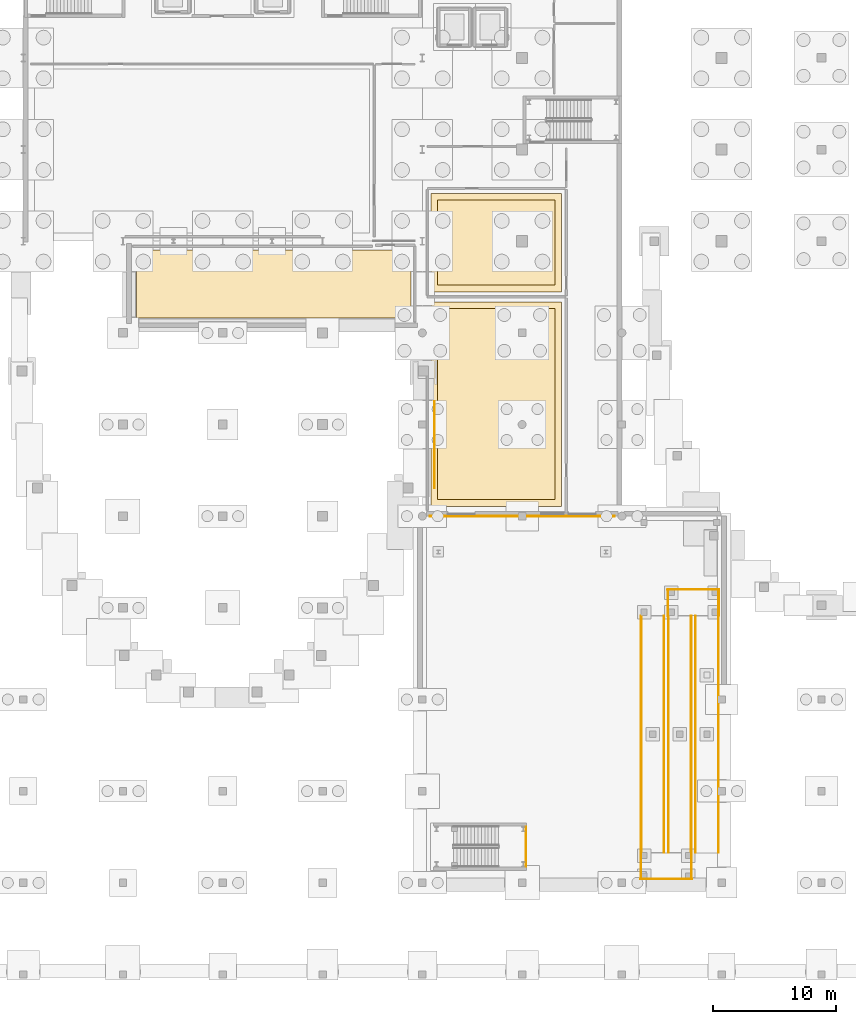
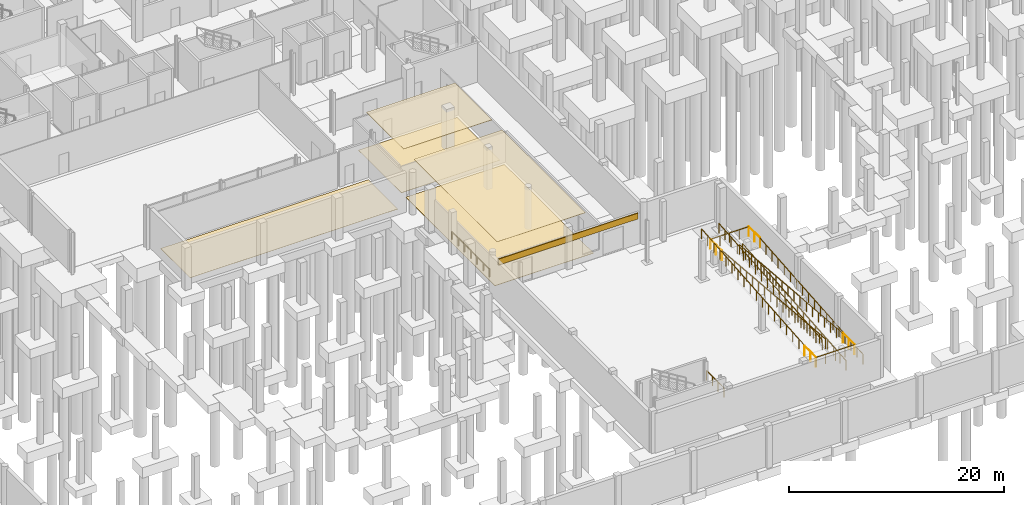
# One storey, part 33 of 37: 14 railings, 6 coverings.
"""IFC4 building model written with IfcOpenShell, lengths in metres."""

from ifc_helpers import new_model, si_unit, direction, frame, origin, origin_2d, place, context, subcontext, project, spatial, polyline, rectangle, circle, outline, extrude, material, layer, layer_set, type_object, element, save


model = new_model("IFC4")

# Units and contexts
model_context = context("Model", 3, precision=1e-05, world=origin(), true_north=direction((0.0, 1.0)))
body_context = subcontext(model_context, "Body", "Model", "MODEL_VIEW")
ifc_project = project(units=[si_unit("LENGTHUNIT", "METRE"), si_unit("AREAUNIT", "SQUARE_METRE"), si_unit("VOLUMEUNIT", "CUBIC_METRE"), si_unit("PLANEANGLEUNIT", "RADIAN"), si_unit("MASSUNIT", "GRAM", prefix="KILO")], contexts=[model_context])

# Site, building, storey
site_placement = place(None, origin())
site = spatial("IfcSite", under=ifc_project, at=site_placement, CompositionType="ELEMENT")
building_placement = place(site_placement, origin())
building = spatial("IfcBuilding", under=site, at=building_placement, Name="Kaelora Sail Theatre", CompositionType="ELEMENT")
storey_placement = place(building_placement, frame((0.0, 0.0, -4.800048828125)))
storey = spatial("IfcBuildingStorey", under=building, at=storey_placement, Name="B1", CompositionType="ELEMENT", Elevation=-4.800048828125)

# Coverings
ifc_material_1 = material(Name="Micro-perforated timber acoustic reflector", Category="wood")
ifc_layer_1 = layer(ifc_material_1, 0.050048828125)
ifc_layer_set_1 = layer_set([ifc_layer_1], Name="Micro-perforated timber acoustic reflector")
covering_type_1 = type_object("IfcCoveringType", Name="ARC-COV-CLG-AC-50", PredefinedType="CEILING", material=ifc_layer_set_1)
covering_1_placement = place(storey_placement, frame((0.0, 0.0, 4.429931640625)))
element("IfcCovering", 1, at=covering_1_placement, inside=storey, type_object=covering_type_1, Name="Acoustic ceiling B1-CLOAK", PredefinedType="CEILING", context=body_context, shape_type="SweptSolid", body=[
    extrude(outline(polyline([(59.449951171875, 57.449951171875), (68.949951171875, 57.449951171875), (68.949951171875, 64.35009765625), (59.449951171875, 64.35009765625), (59.449951171875, 57.449951171875)])), origin(), (0.0, 0.0, 1.0), 0.050048828125),
])
ifc_material_2 = material(Name="Suspended acoustic mineral-fibre ceiling", Category="gypsum")
ifc_layer_2 = layer(ifc_material_2, 0.034912109375)
ifc_layer_set_2 = layer_set([ifc_layer_2], Name="Suspended acoustic mineral-fibre ceiling")
covering_type_2 = type_object("IfcCoveringType", Name="ARC-COV-CLG-GYP-35", PredefinedType="CEILING", material=ifc_layer_set_2)
covering_2_placement = place(storey_placement, frame((0.0, 0.0, 4.445068359375)))
element("IfcCovering", 2, at=covering_2_placement, inside=storey, type_object=covering_type_2, Name="Acoustic ceiling B1-METRO", PredefinedType="CEILING", context=body_context, shape_type="SweptSolid", body=[
    extrude(outline(polyline([(59.449951171875, 40.050048828125), (68.949951171875, 40.050048828125), (68.949951171875, 55.550048828125), (59.449951171875, 55.550048828125), (59.449951171875, 40.050048828125)])), origin(), (0.0, 0.0, 1.0), 0.034912109375),
])
ifc_material_3 = material(Name="Acoustic rubber backstage studio flooring", Category="rubber")
ifc_layer_3 = layer(ifc_material_3, 0.02197265625)
ifc_layer_set_3 = layer_set([ifc_layer_3], Name="Acoustic rubber backstage studio flooring")
covering_type_3 = type_object("IfcCoveringType", Name="ARC-COV-FLR-AC-22", PredefinedType="FLOORING", material=ifc_layer_set_3)
covering_3_placement = place(storey_placement, origin())
element("IfcCovering", 3, at=covering_3_placement, inside=storey, type_object=covering_type_3, Name="Architectural flooring B1-OPIT", PredefinedType="FLOORING", context=body_context, shape_type="SweptSolid", body=[
    extrude(outline(polyline([(35.0, 54.800048828125), (57.300048828125, 54.800048828125), (57.300048828125, 60.300048828125), (35.0, 60.300048828125), (35.0, 54.800048828125)])), origin(), (0.0, 0.0, 1.0), 0.02197265625),
])
ifc_material_4 = material(Name="Polished basalt-terrazzo foyer flooring", Category="masonry")
ifc_layer_4 = layer(ifc_material_4, 0.031982421875)
ifc_layer_set_4 = layer_set([ifc_layer_4], Name="Polished basalt-terrazzo foyer flooring")
covering_type_4 = type_object("IfcCoveringType", Name="ARC-COV-FLR-TRZ-32", PredefinedType="FLOORING", material=ifc_layer_set_4)
covering_4_placement = place(storey_placement, origin())
element("IfcCovering", 4, at=covering_4_placement, inside=storey, type_object=covering_type_4, Name="Architectural flooring B1-METRO", PredefinedType="FLOORING", context=body_context, shape_type="SweptSolid", body=[
    extrude(outline(polyline([(58.89990234375, 39.5), (69.5, 39.5), (69.5, 56.10009765625), (58.89990234375, 56.10009765625), (58.89990234375, 39.5)])), origin(), (0.0, 0.0, 1.0), 0.031982421875),
])
covering_5_placement = place(storey_placement, origin())
element("IfcCovering", 5, at=covering_5_placement, inside=storey, type_object=covering_type_4, Name="Architectural flooring B1-CLOAK", PredefinedType="FLOORING", context=body_context, shape_type="SweptSolid", body=[
    extrude(outline(polyline([(58.89990234375, 56.89990234375), (69.5, 56.89990234375), (69.5, 64.89990234375), (58.89990234375, 64.89990234375), (58.89990234375, 56.89990234375)])), origin(), (0.0, 0.0, 1.0), 0.031982421875),
])
ifc_material_5 = material(Name="Warm terracotta acoustic Postmodern facade entablature", Category="masonry")
ifc_layer_5 = layer(ifc_material_5, 0.06494140625)
ifc_layer_set_5 = layer_set([ifc_layer_5], Name="Warm terracotta acoustic Postmodern facade entablature")
covering_type_5 = type_object("IfcCoveringType", Name="ARC-COV-TRC", PredefinedType="CLADDING", material=ifc_layer_set_5)
covering_6_placement = place(storey_placement, frame((66.300048828125, 38.699951171875, 2.91015625), z_axis=(0.0, 0.0, 1.0), x_axis=(1.0, 0.0, 0.0)))
element("IfcCovering", 6, at=covering_6_placement, inside=storey, type_object=covering_type_5, Name="Postmodern Terracotta Portal Entablature METRO", PredefinedType="CLADDING", context=body_context, shape_type="SweptSolid", body=[
    extrude(rectangle(XDim=15.0, YDim=0.080078125, at=origin_2d()), origin(), (0.0, 0.0, 1.0), 0.679931640625),
])

# Railings
ifc_material_6 = material(Name="Stainless steel 316L accessible ramp handrail", Category="steel")
railing_type_1 = type_object("IfcRailingType", Name="ARC-RL-RMP", PredefinedType="HANDRAIL", material=ifc_material_6)
railing_1_placement = place(storey_placement, frame((59.199951171875, 41.0, 0.0)))
element("IfcRailing", 7, at=railing_1_placement, inside=storey, type_object=railing_type_1, Name="Metro Concourse Wall Assist Handrail", PredefinedType="HANDRAIL", context=body_context, shape_type="SweptSolid", body=[
    extrude(circle(Radius=0.02392578125, at=origin_2d()), frame((0.0, 0.0, 0.89599609375), z_axis=(0.0, 1.0, 0.0), x_axis=(-1.0, 0.0, 0.0)), (0.0, 0.0, 1.0), 7.0),
    extrude(circle(Radius=0.02099609375, at=origin_2d()), origin(), (0.0, 0.0, 1.0), 0.871826171875),
    extrude(circle(Radius=0.02099609375, at=origin_2d()), frame((0.0, 1.166748046875, 0.0)), (0.0, 0.0, 1.0), 0.871826171875),
    extrude(circle(Radius=0.02099609375, at=origin_2d()), frame((0.0, 2.333251953125, 0.0)), (0.0, 0.0, 1.0), 0.871826171875),
    extrude(circle(Radius=0.02099609375, at=origin_2d()), frame((0.0, 3.5, 0.0)), (0.0, 0.0, 1.0), 0.871826171875),
    extrude(circle(Radius=0.02099609375, at=origin_2d()), frame((0.0, 4.666748046875, 0.0)), (0.0, 0.0, 1.0), 0.871826171875),
    extrude(circle(Radius=0.02099609375, at=origin_2d()), frame((0.0, 5.833251953125, 0.0)), (0.0, 0.0, 1.0), 0.871826171875),
    extrude(circle(Radius=0.02099609375, at=origin_2d()), frame((0.0, 7.0, 0.0)), (0.0, 0.0, 1.0), 0.871826171875),
])
ifc_material_7 = material(Name="Stainless steel 316L and laminated glass balustrade", Category="steel")
railing_type_2 = type_object("IfcRailingType", Name="ARC-RL-TER", PredefinedType="GUARDRAIL", material=ifc_material_7)
railing_2_placement = place(storey_placement, frame((80.3701171875, 11.39990234375, 0.0)))
element("IfcRailing", 8, at=railing_2_placement, inside=storey, type_object=railing_type_2, Name="Accessible Metro Ramp Guardrail 1W", PredefinedType="GUARDRAIL", context=body_context, shape_type="SweptSolid", body=[
    extrude(circle(Radius=0.02392578125, at=origin_2d()), frame((0.0, 0.0, 1.076171875), z_axis=(0.0, 0.996545408675, 0.08304967459), x_axis=(-1.0, 0.0, 0.0)), (0.0, 0.0, 1.0), 19.266845703125),
    extrude(circle(Radius=0.02099609375, at=origin_2d()), origin(), (0.0, 0.0, 1.0), 1.052001953125),
    extrude(circle(Radius=0.02099609375, at=origin_2d()), frame((0.0, 1.12939453125, 0.09423828125)), (0.0, 0.0, 1.0), 1.052001953125),
    extrude(circle(Radius=0.02099609375, at=origin_2d()), frame((0.0, 2.2587890625, 0.188232421875)), (0.0, 0.0, 1.0), 1.052001953125),
    extrude(circle(Radius=0.02099609375, at=origin_2d()), frame((0.0, 3.38818359375, 0.282470703125)), (0.0, 0.0, 1.0), 1.052001953125),
    extrude(circle(Radius=0.02099609375, at=origin_2d()), frame((0.0, 4.517578125, 0.37646484375)), (0.0, 0.0, 1.0), 1.052001953125),
    extrude(circle(Radius=0.02099609375, at=origin_2d()), frame((0.0, 5.647216796875, 0.470703125)), (0.0, 0.0, 1.0), 1.052001953125),
    extrude(circle(Radius=0.02099609375, at=origin_2d()), frame((0.0, 6.776611328125, 0.564697265625)), (0.0, 0.0, 1.0), 1.052001953125),
    extrude(circle(Radius=0.02099609375, at=origin_2d()), frame((0.0, 7.906005859375, 0.658935546875)), (0.0, 0.0, 1.0), 1.052001953125),
    extrude(circle(Radius=0.02099609375, at=origin_2d()), frame((0.0, 9.035400390625, 0.7529296875)), (0.0, 0.0, 1.0), 1.052001953125),
    extrude(circle(Radius=0.02099609375, at=origin_2d()), frame((0.0, 10.164794921875, 0.84716796875)), (0.0, 0.0, 1.0), 1.052001953125),
    extrude(circle(Radius=0.02099609375, at=origin_2d()), frame((0.0, 11.294189453125, 0.941162109375)), (0.0, 0.0, 1.0), 1.052001953125),
    extrude(circle(Radius=0.02099609375, at=origin_2d()), frame((0.0, 12.423583984375, 1.035400390625)), (0.0, 0.0, 1.0), 1.052001953125),
    extrude(circle(Radius=0.02099609375, at=origin_2d()), frame((0.0, 13.552978515625, 1.12939453125)), (0.0, 0.0, 1.0), 1.052001953125),
    extrude(circle(Radius=0.02099609375, at=origin_2d()), frame((0.0, 14.6826171875, 1.2236328125)), (0.0, 0.0, 1.0), 1.052001953125),
    extrude(circle(Radius=0.02099609375, at=origin_2d()), frame((0.0, 15.81201171875, 1.317626953125)), (0.0, 0.0, 1.0), 1.052001953125),
    extrude(circle(Radius=0.02099609375, at=origin_2d()), frame((0.0, 16.94140625, 1.411865234375)), (0.0, 0.0, 1.0), 1.052001953125),
    extrude(circle(Radius=0.02099609375, at=origin_2d()), frame((0.0, 18.07080078125, 1.505859375)), (0.0, 0.0, 1.0), 1.052001953125),
    extrude(circle(Radius=0.02099609375, at=origin_2d()), frame((0.0, 19.2001953125, 1.60009765625)), (0.0, 0.0, 1.0), 1.052001953125),
])
railing_3_placement = place(storey_placement, frame((82.22998046875, 11.39990234375, 0.0)))
element("IfcRailing", 9, at=railing_3_placement, inside=storey, type_object=railing_type_2, Name="Accessible Metro Ramp Guardrail 1E", PredefinedType="GUARDRAIL", context=body_context, shape_type="SweptSolid", body=[
    extrude(circle(Radius=0.02392578125, at=origin_2d()), frame((0.0, 0.0, 1.076171875), z_axis=(0.0, 0.996545408675, 0.08304967459), x_axis=(-1.0, 0.0, 0.0)), (0.0, 0.0, 1.0), 19.266845703125),
    extrude(circle(Radius=0.02099609375, at=origin_2d()), origin(), (0.0, 0.0, 1.0), 1.052001953125),
    extrude(circle(Radius=0.02099609375, at=origin_2d()), frame((0.0, 1.12939453125, 0.09423828125)), (0.0, 0.0, 1.0), 1.052001953125),
    extrude(circle(Radius=0.02099609375, at=origin_2d()), frame((0.0, 2.2587890625, 0.188232421875)), (0.0, 0.0, 1.0), 1.052001953125),
    extrude(circle(Radius=0.02099609375, at=origin_2d()), frame((0.0, 3.38818359375, 0.282470703125)), (0.0, 0.0, 1.0), 1.052001953125),
    extrude(circle(Radius=0.02099609375, at=origin_2d()), frame((0.0, 4.517578125, 0.37646484375)), (0.0, 0.0, 1.0), 1.052001953125),
    extrude(circle(Radius=0.02099609375, at=origin_2d()), frame((0.0, 5.647216796875, 0.470703125)), (0.0, 0.0, 1.0), 1.052001953125),
    extrude(circle(Radius=0.02099609375, at=origin_2d()), frame((0.0, 6.776611328125, 0.564697265625)), (0.0, 0.0, 1.0), 1.052001953125),
    extrude(circle(Radius=0.02099609375, at=origin_2d()), frame((0.0, 7.906005859375, 0.658935546875)), (0.0, 0.0, 1.0), 1.052001953125),
    extrude(circle(Radius=0.02099609375, at=origin_2d()), frame((0.0, 9.035400390625, 0.7529296875)), (0.0, 0.0, 1.0), 1.052001953125),
    extrude(circle(Radius=0.02099609375, at=origin_2d()), frame((0.0, 10.164794921875, 0.84716796875)), (0.0, 0.0, 1.0), 1.052001953125),
    extrude(circle(Radius=0.02099609375, at=origin_2d()), frame((0.0, 11.294189453125, 0.941162109375)), (0.0, 0.0, 1.0), 1.052001953125),
    extrude(circle(Radius=0.02099609375, at=origin_2d()), frame((0.0, 12.423583984375, 1.035400390625)), (0.0, 0.0, 1.0), 1.052001953125),
    extrude(circle(Radius=0.02099609375, at=origin_2d()), frame((0.0, 13.552978515625, 1.12939453125)), (0.0, 0.0, 1.0), 1.052001953125),
    extrude(circle(Radius=0.02099609375, at=origin_2d()), frame((0.0, 14.6826171875, 1.2236328125)), (0.0, 0.0, 1.0), 1.052001953125),
    extrude(circle(Radius=0.02099609375, at=origin_2d()), frame((0.0, 15.81201171875, 1.317626953125)), (0.0, 0.0, 1.0), 1.052001953125),
    extrude(circle(Radius=0.02099609375, at=origin_2d()), frame((0.0, 16.94140625, 1.411865234375)), (0.0, 0.0, 1.0), 1.052001953125),
    extrude(circle(Radius=0.02099609375, at=origin_2d()), frame((0.0, 18.07080078125, 1.505859375)), (0.0, 0.0, 1.0), 1.052001953125),
    extrude(circle(Radius=0.02099609375, at=origin_2d()), frame((0.0, 19.2001953125, 1.60009765625)), (0.0, 0.0, 1.0), 1.052001953125),
])
railing_4_placement = place(storey_placement, frame((78.169921875, 30.60009765625, 1.60009765625)))
element("IfcRailing", 10, at=railing_4_placement, inside=storey, type_object=railing_type_2, Name="Accessible Metro Ramp Guardrail 2W", PredefinedType="GUARDRAIL", context=body_context, shape_type="SweptSolid", body=[
    extrude(circle(Radius=0.02392578125, at=origin_2d()), frame((0.0, 0.0, 1.076171875), z_axis=(0.0, -0.996546457333, 0.083037090368), x_axis=(1.0, 0.0, 0.0)), (0.0, 0.0, 1.0), 19.266845703125),
    extrude(circle(Radius=0.02099609375, at=origin_2d()), origin(), (0.0, 0.0, 1.0), 1.052001953125),
    extrude(circle(Radius=0.02099609375, at=origin_2d()), frame((0.0, -1.12939453125, 0.093994140625)), (0.0, 0.0, 1.0), 1.052001953125),
    extrude(circle(Radius=0.02099609375, at=origin_2d()), frame((0.0, -2.2587890625, 0.188232421875)), (0.0, 0.0, 1.0), 1.052001953125),
    extrude(circle(Radius=0.02099609375, at=origin_2d()), frame((0.0, -3.38818359375, 0.2822265625)), (0.0, 0.0, 1.0), 1.052001953125),
    extrude(circle(Radius=0.02099609375, at=origin_2d()), frame((0.0, -4.517578125, 0.37646484375)), (0.0, 0.0, 1.0), 1.052001953125),
    extrude(circle(Radius=0.02099609375, at=origin_2d()), frame((0.0, -5.647216796875, 0.470458984375)), (0.0, 0.0, 1.0), 1.052001953125),
    extrude(circle(Radius=0.02099609375, at=origin_2d()), frame((0.0, -6.776611328125, 0.564697265625)), (0.0, 0.0, 1.0), 1.052001953125),
    extrude(circle(Radius=0.02099609375, at=origin_2d()), frame((0.0, -7.906005859375, 0.65869140625)), (0.0, 0.0, 1.0), 1.052001953125),
    extrude(circle(Radius=0.02099609375, at=origin_2d()), frame((0.0, -9.035400390625, 0.7529296875)), (0.0, 0.0, 1.0), 1.052001953125),
    extrude(circle(Radius=0.02099609375, at=origin_2d()), frame((0.0, -10.164794921875, 0.846923828125)), (0.0, 0.0, 1.0), 1.052001953125),
    extrude(circle(Radius=0.02099609375, at=origin_2d()), frame((0.0, -11.294189453125, 0.941162109375)), (0.0, 0.0, 1.0), 1.052001953125),
    extrude(circle(Radius=0.02099609375, at=origin_2d()), frame((0.0, -12.423583984375, 1.03515625)), (0.0, 0.0, 1.0), 1.052001953125),
    extrude(circle(Radius=0.02099609375, at=origin_2d()), frame((0.0, -13.552978515625, 1.12939453125)), (0.0, 0.0, 1.0), 1.052001953125),
    extrude(circle(Radius=0.02099609375, at=origin_2d()), frame((0.0, -14.6826171875, 1.223388671875)), (0.0, 0.0, 1.0), 1.052001953125),
    extrude(circle(Radius=0.02099609375, at=origin_2d()), frame((0.0, -15.81201171875, 1.317626953125)), (0.0, 0.0, 1.0), 1.052001953125),
    extrude(circle(Radius=0.02099609375, at=origin_2d()), frame((0.0, -16.94140625, 1.41162109375)), (0.0, 0.0, 1.0), 1.052001953125),
    extrude(circle(Radius=0.02099609375, at=origin_2d()), frame((0.0, -18.07080078125, 1.505859375)), (0.0, 0.0, 1.0), 1.052001953125),
    extrude(circle(Radius=0.02099609375, at=origin_2d()), frame((0.0, -19.2001953125, 1.599853515625)), (0.0, 0.0, 1.0), 1.052001953125),
])
railing_5_placement = place(storey_placement, frame((80.030029296875, 30.60009765625, 1.60009765625)))
element("IfcRailing", 11, at=railing_5_placement, inside=storey, type_object=railing_type_2, Name="Accessible Metro Ramp Guardrail 2E", PredefinedType="GUARDRAIL", context=body_context, shape_type="SweptSolid", body=[
    extrude(circle(Radius=0.02392578125, at=origin_2d()), frame((0.0, 0.0, 1.076171875), z_axis=(0.0, -0.996546457333, 0.083037090368), x_axis=(1.0, 0.0, 0.0)), (0.0, 0.0, 1.0), 19.266845703125),
    extrude(circle(Radius=0.02099609375, at=origin_2d()), origin(), (0.0, 0.0, 1.0), 1.052001953125),
    extrude(circle(Radius=0.02099609375, at=origin_2d()), frame((0.0, -1.12939453125, 0.093994140625)), (0.0, 0.0, 1.0), 1.052001953125),
    extrude(circle(Radius=0.02099609375, at=origin_2d()), frame((0.0, -2.2587890625, 0.188232421875)), (0.0, 0.0, 1.0), 1.052001953125),
    extrude(circle(Radius=0.02099609375, at=origin_2d()), frame((0.0, -3.38818359375, 0.2822265625)), (0.0, 0.0, 1.0), 1.052001953125),
    extrude(circle(Radius=0.02099609375, at=origin_2d()), frame((0.0, -4.517578125, 0.37646484375)), (0.0, 0.0, 1.0), 1.052001953125),
    extrude(circle(Radius=0.02099609375, at=origin_2d()), frame((0.0, -5.647216796875, 0.470458984375)), (0.0, 0.0, 1.0), 1.052001953125),
    extrude(circle(Radius=0.02099609375, at=origin_2d()), frame((0.0, -6.776611328125, 0.564697265625)), (0.0, 0.0, 1.0), 1.052001953125),
    extrude(circle(Radius=0.02099609375, at=origin_2d()), frame((0.0, -7.906005859375, 0.65869140625)), (0.0, 0.0, 1.0), 1.052001953125),
    extrude(circle(Radius=0.02099609375, at=origin_2d()), frame((0.0, -9.035400390625, 0.7529296875)), (0.0, 0.0, 1.0), 1.052001953125),
    extrude(circle(Radius=0.02099609375, at=origin_2d()), frame((0.0, -10.164794921875, 0.846923828125)), (0.0, 0.0, 1.0), 1.052001953125),
    extrude(circle(Radius=0.02099609375, at=origin_2d()), frame((0.0, -11.294189453125, 0.941162109375)), (0.0, 0.0, 1.0), 1.052001953125),
    extrude(circle(Radius=0.02099609375, at=origin_2d()), frame((0.0, -12.423583984375, 1.03515625)), (0.0, 0.0, 1.0), 1.052001953125),
    extrude(circle(Radius=0.02099609375, at=origin_2d()), frame((0.0, -13.552978515625, 1.12939453125)), (0.0, 0.0, 1.0), 1.052001953125),
    extrude(circle(Radius=0.02099609375, at=origin_2d()), frame((0.0, -14.6826171875, 1.223388671875)), (0.0, 0.0, 1.0), 1.052001953125),
    extrude(circle(Radius=0.02099609375, at=origin_2d()), frame((0.0, -15.81201171875, 1.317626953125)), (0.0, 0.0, 1.0), 1.052001953125),
    extrude(circle(Radius=0.02099609375, at=origin_2d()), frame((0.0, -16.94140625, 1.41162109375)), (0.0, 0.0, 1.0), 1.052001953125),
    extrude(circle(Radius=0.02099609375, at=origin_2d()), frame((0.0, -18.07080078125, 1.505859375)), (0.0, 0.0, 1.0), 1.052001953125),
    extrude(circle(Radius=0.02099609375, at=origin_2d()), frame((0.0, -19.2001953125, 1.599853515625)), (0.0, 0.0, 1.0), 1.052001953125),
])
railing_6_placement = place(storey_placement, frame((75.969970703125, 11.39990234375, 3.199951171875)))
element("IfcRailing", 12, at=railing_6_placement, inside=storey, type_object=railing_type_2, Name="Accessible Metro Ramp Guardrail 3W", PredefinedType="GUARDRAIL", context=body_context, shape_type="SweptSolid", body=[
    extrude(circle(Radius=0.02392578125, at=origin_2d()), frame((0.0, 0.0, 1.076171875), z_axis=(0.0, 0.996545408675, 0.08304967459), x_axis=(-1.0, 0.0, 0.0)), (0.0, 0.0, 1.0), 19.266845703125),
    extrude(circle(Radius=0.02099609375, at=origin_2d()), origin(), (0.0, 0.0, 1.0), 1.052001953125),
    extrude(circle(Radius=0.02099609375, at=origin_2d()), frame((0.0, 1.12939453125, 0.09423828125)), (0.0, 0.0, 1.0), 1.052001953125),
    extrude(circle(Radius=0.02099609375, at=origin_2d()), frame((0.0, 2.2587890625, 0.188232421875)), (0.0, 0.0, 1.0), 1.052001953125),
    extrude(circle(Radius=0.02099609375, at=origin_2d()), frame((0.0, 3.38818359375, 0.282470703125)), (0.0, 0.0, 1.0), 1.052001953125),
    extrude(circle(Radius=0.02099609375, at=origin_2d()), frame((0.0, 4.517578125, 0.37646484375)), (0.0, 0.0, 1.0), 1.052001953125),
    extrude(circle(Radius=0.02099609375, at=origin_2d()), frame((0.0, 5.647216796875, 0.470703125)), (0.0, 0.0, 1.0), 1.052001953125),
    extrude(circle(Radius=0.02099609375, at=origin_2d()), frame((0.0, 6.776611328125, 0.564697265625)), (0.0, 0.0, 1.0), 1.052001953125),
    extrude(circle(Radius=0.02099609375, at=origin_2d()), frame((0.0, 7.906005859375, 0.658935546875)), (0.0, 0.0, 1.0), 1.052001953125),
    extrude(circle(Radius=0.02099609375, at=origin_2d()), frame((0.0, 9.035400390625, 0.7529296875)), (0.0, 0.0, 1.0), 1.052001953125),
    extrude(circle(Radius=0.02099609375, at=origin_2d()), frame((0.0, 10.164794921875, 0.84716796875)), (0.0, 0.0, 1.0), 1.052001953125),
    extrude(circle(Radius=0.02099609375, at=origin_2d()), frame((0.0, 11.294189453125, 0.941162109375)), (0.0, 0.0, 1.0), 1.052001953125),
    extrude(circle(Radius=0.02099609375, at=origin_2d()), frame((0.0, 12.423583984375, 1.035400390625)), (0.0, 0.0, 1.0), 1.052001953125),
    extrude(circle(Radius=0.02099609375, at=origin_2d()), frame((0.0, 13.552978515625, 1.12939453125)), (0.0, 0.0, 1.0), 1.052001953125),
    extrude(circle(Radius=0.02099609375, at=origin_2d()), frame((0.0, 14.6826171875, 1.2236328125)), (0.0, 0.0, 1.0), 1.052001953125),
    extrude(circle(Radius=0.02099609375, at=origin_2d()), frame((0.0, 15.81201171875, 1.317626953125)), (0.0, 0.0, 1.0), 1.052001953125),
    extrude(circle(Radius=0.02099609375, at=origin_2d()), frame((0.0, 16.94140625, 1.411865234375)), (0.0, 0.0, 1.0), 1.052001953125),
    extrude(circle(Radius=0.02099609375, at=origin_2d()), frame((0.0, 18.07080078125, 1.505859375)), (0.0, 0.0, 1.0), 1.052001953125),
    extrude(circle(Radius=0.02099609375, at=origin_2d()), frame((0.0, 19.2001953125, 1.60009765625)), (0.0, 0.0, 1.0), 1.052001953125),
])
railing_7_placement = place(storey_placement, frame((77.830078125, 11.39990234375, 3.199951171875)))
element("IfcRailing", 13, at=railing_7_placement, inside=storey, type_object=railing_type_2, Name="Accessible Metro Ramp Guardrail 3E", PredefinedType="GUARDRAIL", context=body_context, shape_type="SweptSolid", body=[
    extrude(circle(Radius=0.02392578125, at=origin_2d()), frame((0.0, 0.0, 1.076171875), z_axis=(0.0, 0.996545408675, 0.08304967459), x_axis=(-1.0, 0.0, 0.0)), (0.0, 0.0, 1.0), 19.266845703125),
    extrude(circle(Radius=0.02099609375, at=origin_2d()), origin(), (0.0, 0.0, 1.0), 1.052001953125),
    extrude(circle(Radius=0.02099609375, at=origin_2d()), frame((0.0, 1.12939453125, 0.09423828125)), (0.0, 0.0, 1.0), 1.052001953125),
    extrude(circle(Radius=0.02099609375, at=origin_2d()), frame((0.0, 2.2587890625, 0.188232421875)), (0.0, 0.0, 1.0), 1.052001953125),
    extrude(circle(Radius=0.02099609375, at=origin_2d()), frame((0.0, 3.38818359375, 0.282470703125)), (0.0, 0.0, 1.0), 1.052001953125),
    extrude(circle(Radius=0.02099609375, at=origin_2d()), frame((0.0, 4.517578125, 0.37646484375)), (0.0, 0.0, 1.0), 1.052001953125),
    extrude(circle(Radius=0.02099609375, at=origin_2d()), frame((0.0, 5.647216796875, 0.470703125)), (0.0, 0.0, 1.0), 1.052001953125),
    extrude(circle(Radius=0.02099609375, at=origin_2d()), frame((0.0, 6.776611328125, 0.564697265625)), (0.0, 0.0, 1.0), 1.052001953125),
    extrude(circle(Radius=0.02099609375, at=origin_2d()), frame((0.0, 7.906005859375, 0.658935546875)), (0.0, 0.0, 1.0), 1.052001953125),
    extrude(circle(Radius=0.02099609375, at=origin_2d()), frame((0.0, 9.035400390625, 0.7529296875)), (0.0, 0.0, 1.0), 1.052001953125),
    extrude(circle(Radius=0.02099609375, at=origin_2d()), frame((0.0, 10.164794921875, 0.84716796875)), (0.0, 0.0, 1.0), 1.052001953125),
    extrude(circle(Radius=0.02099609375, at=origin_2d()), frame((0.0, 11.294189453125, 0.941162109375)), (0.0, 0.0, 1.0), 1.052001953125),
    extrude(circle(Radius=0.02099609375, at=origin_2d()), frame((0.0, 12.423583984375, 1.035400390625)), (0.0, 0.0, 1.0), 1.052001953125),
    extrude(circle(Radius=0.02099609375, at=origin_2d()), frame((0.0, 13.552978515625, 1.12939453125)), (0.0, 0.0, 1.0), 1.052001953125),
    extrude(circle(Radius=0.02099609375, at=origin_2d()), frame((0.0, 14.6826171875, 1.2236328125)), (0.0, 0.0, 1.0), 1.052001953125),
    extrude(circle(Radius=0.02099609375, at=origin_2d()), frame((0.0, 15.81201171875, 1.317626953125)), (0.0, 0.0, 1.0), 1.052001953125),
    extrude(circle(Radius=0.02099609375, at=origin_2d()), frame((0.0, 16.94140625, 1.411865234375)), (0.0, 0.0, 1.0), 1.052001953125),
    extrude(circle(Radius=0.02099609375, at=origin_2d()), frame((0.0, 18.07080078125, 1.505859375)), (0.0, 0.0, 1.0), 1.052001953125),
    extrude(circle(Radius=0.02099609375, at=origin_2d()), frame((0.0, 19.2001953125, 1.60009765625)), (0.0, 0.0, 1.0), 1.052001953125),
])
railing_8_placement = place(storey_placement, frame((78.1201171875, 32.739990234375, 1.60009765625)))
element("IfcRailing", 14, at=railing_8_placement, inside=storey, type_object=railing_type_2, Name="Sunken Metro Forecourt Balustrade RAMP-L1-N", PredefinedType="GUARDRAIL", context=body_context, shape_type="SweptSolid", body=[
    extrude(circle(Radius=0.02392578125, at=origin_2d()), frame((0.0, 0.0, 1.076171875), z_axis=(1.0, 0.0, 0.0), x_axis=(0.0, 1.0, 0.0)), (0.0, 0.0, 1.0), 4.159912109375),
    extrude(circle(Radius=0.02099609375, at=origin_2d()), origin(), (0.0, 0.0, 1.0), 1.052001953125),
    extrude(circle(Radius=0.02099609375, at=origin_2d()), frame((1.0400390625, 0.0, 0.0)), (0.0, 0.0, 1.0), 1.052001953125),
    extrude(circle(Radius=0.02099609375, at=origin_2d()), frame((2.080078125, 0.0, 0.0)), (0.0, 0.0, 1.0), 1.052001953125),
    extrude(circle(Radius=0.02099609375, at=origin_2d()), frame((3.119873046875, 0.0, 0.0)), (0.0, 0.0, 1.0), 1.052001953125),
    extrude(circle(Radius=0.02099609375, at=origin_2d()), frame((4.159912109375, 0.0, 0.0)), (0.0, 0.0, 1.0), 1.052001953125),
])
for number, where, name in (
    (15, (78.139892578125, 30.60009765625, 1.60009765625), "Sunken Metro Forecourt Balustrade RAMP-L1-W"),
    (16, (82.260009765625, 30.60009765625, 1.60009765625), "Sunken Metro Forecourt Balustrade RAMP-L1-E"),
):
    element("IfcRailing", number, at=place(storey_placement, frame(where)), inside=storey, type_object=railing_type_2, Name=name, PredefinedType="GUARDRAIL", context=body_context, shape_type="SweptSolid", body=[
        extrude(circle(Radius=0.02392578125, at=origin_2d()), frame((0.0, 0.0, 1.076171875), z_axis=(0.0, 1.0, 0.0), x_axis=(-1.0, 0.0, 0.0)), (0.0, 0.0, 1.0), 2.139892578125),
        extrude(circle(Radius=0.02099609375, at=origin_2d()), origin(), (0.0, 0.0, 1.0), 1.052001953125),
        extrude(circle(Radius=0.02099609375, at=origin_2d()), frame((0.0, 1.06982421875, 0.0)), (0.0, 0.0, 1.0), 1.052001953125),
        extrude(circle(Radius=0.02099609375, at=origin_2d()), frame((0.0, 2.139892578125, 0.0)), (0.0, 0.0, 1.0), 1.052001953125),
    ])
railing_9_placement = place(storey_placement, frame((75.919921875, 9.260009765625, 3.199951171875)))
element("IfcRailing", 17, at=railing_9_placement, inside=storey, type_object=railing_type_2, Name="Sunken Metro Forecourt Balustrade RAMP-L2-S", PredefinedType="GUARDRAIL", context=body_context, shape_type="SweptSolid", body=[
    extrude(circle(Radius=0.02392578125, at=origin_2d()), frame((0.0, 0.0, 1.076171875), z_axis=(1.0, 0.0, 0.0), x_axis=(0.0, 1.0, 0.0)), (0.0, 0.0, 1.0), 4.16015625),
    extrude(circle(Radius=0.02099609375, at=origin_2d()), origin(), (0.0, 0.0, 1.0), 1.052001953125),
    extrude(circle(Radius=0.02099609375, at=origin_2d()), frame((1.0400390625, 0.0, 0.0)), (0.0, 0.0, 1.0), 1.052001953125),
    extrude(circle(Radius=0.02099609375, at=origin_2d()), frame((2.080078125, 0.0, 0.0)), (0.0, 0.0, 1.0), 1.052001953125),
    extrude(circle(Radius=0.02099609375, at=origin_2d()), frame((3.1201171875, 0.0, 0.0)), (0.0, 0.0, 1.0), 1.052001953125),
    extrude(circle(Radius=0.02099609375, at=origin_2d()), frame((4.16015625, 0.0, 0.0)), (0.0, 0.0, 1.0), 1.052001953125),
])
for number, where, name in (
    (18, (75.93994140625, 9.260009765625, 3.199951171875), "Sunken Metro Forecourt Balustrade RAMP-L2-W"),
    (19, (80.06005859375, 9.260009765625, 3.199951171875), "Sunken Metro Forecourt Balustrade RAMP-L2-E"),
):
    element("IfcRailing", number, at=place(storey_placement, frame(where)), inside=storey, type_object=railing_type_2, Name=name, PredefinedType="GUARDRAIL", context=body_context, shape_type="SweptSolid", body=[
        extrude(circle(Radius=0.02392578125, at=origin_2d()), frame((0.0, 0.0, 1.076171875), z_axis=(0.0, 1.0, 0.0), x_axis=(-1.0, 0.0, 0.0)), (0.0, 0.0, 1.0), 2.139892578125),
        extrude(circle(Radius=0.02099609375, at=origin_2d()), origin(), (0.0, 0.0, 1.0), 1.052001953125),
        extrude(circle(Radius=0.02099609375, at=origin_2d()), frame((0.0, 1.06982421875, 0.0)), (0.0, 0.0, 1.0), 1.052001953125),
        extrude(circle(Radius=0.02099609375, at=origin_2d()), frame((0.0, 2.139892578125, 0.0)), (0.0, 0.0, 1.0), 1.052001953125),
    ])
railing_10_placement = place(storey_placement, frame((66.610107421875, 10.280029296875, 2.400146484375)))
element("IfcRailing", 20, at=railing_10_placement, inside=storey, type_object=railing_type_2, Name="Plaza stair ST-PLZ half-landing east guard", PredefinedType="GUARDRAIL", context=body_context, shape_type="SweptSolid", body=[
    extrude(circle(Radius=0.02392578125, at=origin_2d()), frame((0.0, 0.0, 1.076171875), z_axis=(0.0, 1.0, 0.0), x_axis=(-1.0, 0.0, 0.0)), (0.0, 0.0, 1.0), 3.18994140625),
    extrude(circle(Radius=0.02099609375, at=origin_2d()), origin(), (0.0, 0.0, 1.0), 1.052001953125),
    extrude(circle(Radius=0.02099609375, at=origin_2d()), frame((0.0, 1.063232421875, 0.0)), (0.0, 0.0, 1.0), 1.052001953125),
    extrude(circle(Radius=0.02099609375, at=origin_2d()), frame((0.0, 2.126708984375, 0.0)), (0.0, 0.0, 1.0), 1.052001953125),
    extrude(circle(Radius=0.02099609375, at=origin_2d()), frame((0.0, 3.18994140625, 0.0)), (0.0, 0.0, 1.0), 1.052001953125),
])

save(model, "model.ifc")
